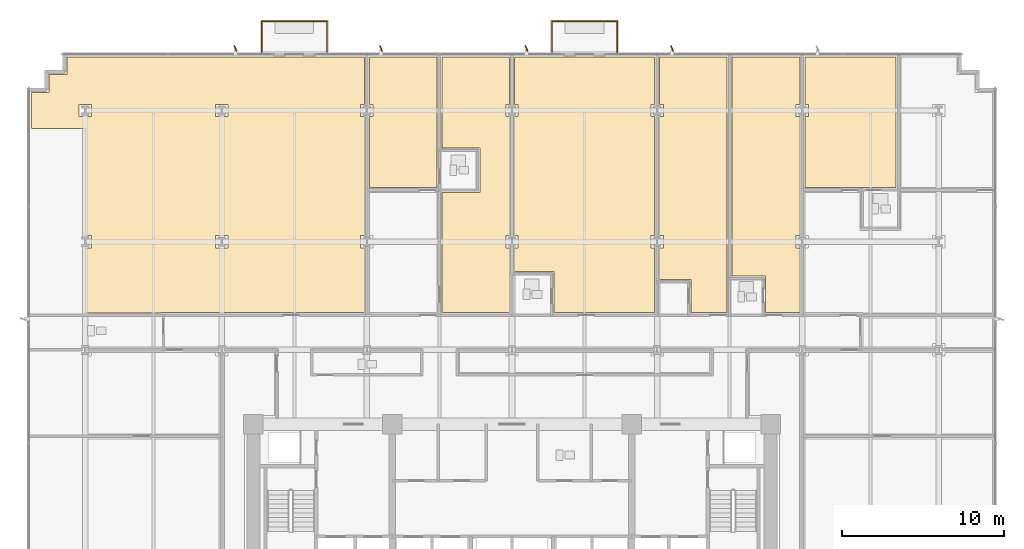
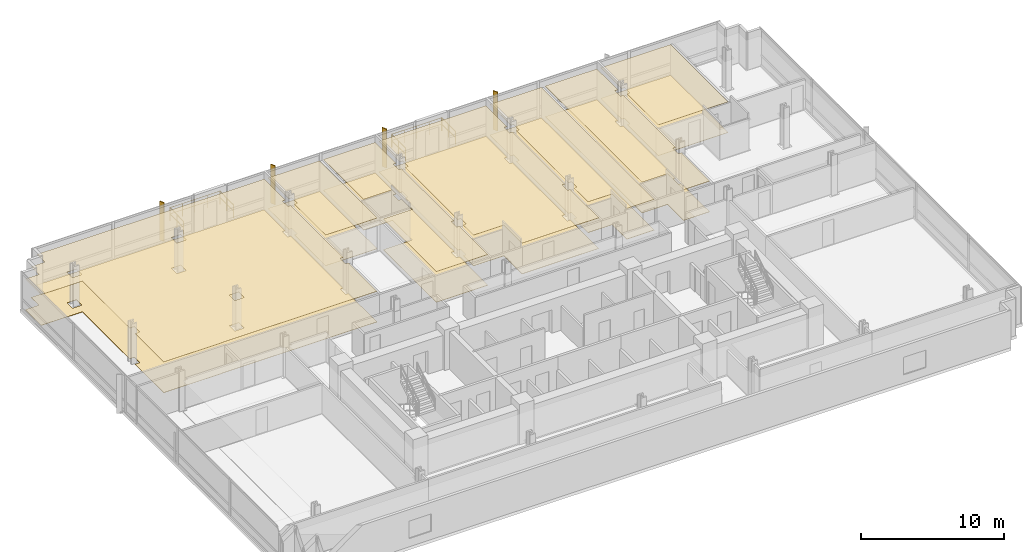
# One storey, part 16 of 18: 14 coverings, 6 railings, 4 shading devices.
"""IFC4 building model written with IfcOpenShell, lengths in metres."""

from ifc_helpers import new_model, si_unit, direction, frame, origin, origin_2d, place, context, subcontext, project, spatial, polyline, rectangle, circle, outline, extrude, material, layer, layer_set, type_object, element, save


model = new_model("IFC4")

# Units and contexts
model_context = context("Model", 3, precision=1e-05, world=origin(), true_north=direction((0.0, 1.0)))
body_context = subcontext(model_context, "Body", "Model", "MODEL_VIEW")
ifc_project = project(units=[si_unit("LENGTHUNIT", "METRE"), si_unit("AREAUNIT", "SQUARE_METRE"), si_unit("VOLUMEUNIT", "CUBIC_METRE"), si_unit("PLANEANGLEUNIT", "RADIAN"), si_unit("MASSUNIT", "GRAM", prefix="KILO")], contexts=[model_context])

# Site, building, storey
site_placement = place(None, origin())
site = spatial("IfcSite", under=ifc_project, at=site_placement, CompositionType="ELEMENT")
building_placement = place(site_placement, origin())
building = spatial("IfcBuilding", under=site, at=building_placement, Name="Solmavex Isthmus Hotel", CompositionType="ELEMENT")
storey_placement = place(building_placement, frame((0.0, 0.0, 43.64990234375)))
storey = spatial("IfcBuildingStorey", under=building, at=storey_placement, Name="L11", CompositionType="ELEMENT", Elevation=43.64990234375)

# Coverings
ifc_material_1 = material(Name="Gypsum plasterboard lining", Category="gypsum")
ifc_layer_1 = layer(ifc_material_1, 0.030029296875)
ifc_layer_set_1 = layer_set([ifc_layer_1], Name="Gypsum plasterboard lining")
covering_type_1 = type_object("IfcCoveringType", Name="COV-CEIL-GYP", PredefinedType="CEILING", material=ifc_layer_set_1)
covering_1_placement = place(storey_placement, frame((0.0, 0.0, 2.6201171875)))
element("IfcCovering", 1, at=covering_1_placement, inside=storey, type_object=covering_type_1, Name="Suspended Acoustic Ceiling L11-RM01", PredefinedType="CEILING", context=body_context, shape_type="SweptSolid", body=[
    extrude(outline(polyline([(-21.70703125, 4.385009765625), (-21.70703125, 4.405029296875), (-9.131103515625, 4.405029296875), (-9.131103515625, 8.407958984375), (-9.35595703125, 8.407958984375), (-9.35595703125, 9.16796875), (-9.131103515625, 9.16796875), (-9.131103515625, 16.52001953125), (-9.35595703125, 16.52001953125), (-9.35595703125, 17.280029296875), (-9.131103515625, 17.280029296875), (-9.131103515625, 20.22509765625), (-27.52490234375, 20.22509765625), (-27.52490234375, 19.125), (-28.625, 19.125), (-28.625, 18.02490234375), (-29.72509765625, 18.02490234375), (-29.72509765625, 15.800048828125), (-26.39990234375, 15.800048828125), (-26.39990234375, 9.16796875), (-26.02001953125, 9.16796875), (-26.02001953125, 8.407958984375), (-26.39990234375, 8.407958984375), (-26.39990234375, 4.385009765625), (-21.70703125, 4.385009765625)]), holes=[polyline([(-18.33203125, 8.407958984375), (-18.33203125, 9.16796875), (-17.572021484375, 9.16796875), (-17.572021484375, 8.407958984375), (-18.33203125, 8.407958984375)]), polyline([(-18.33203125, 17.280029296875), (-17.572021484375, 17.280029296875), (-17.572021484375, 16.52001953125), (-18.33203125, 16.52001953125), (-18.33203125, 17.280029296875)]), polyline([(-26.780029296875, 17.280029296875), (-26.02001953125, 17.280029296875), (-26.02001953125, 16.52001953125), (-26.780029296875, 16.52001953125), (-26.780029296875, 17.280029296875)])]), origin(), (0.0, 0.0, 1.0), 0.030029296875),
])
covering_2_placement = place(storey_placement, frame((0.0, 0.0, 2.6201171875)))
element("IfcCovering", 2, at=covering_2_placement, inside=storey, type_object=covering_type_1, Name="Suspended Acoustic Ceiling L11-SL02-BD", PredefinedType="CEILING", context=body_context, shape_type="SweptSolid", body=[
    extrude(outline(polyline([(-8.821044921875, 17.280029296875), (-8.595947265625, 17.280029296875), (-8.595947265625, 16.52001953125), (-8.821044921875, 16.52001953125), (-8.821044921875, 12.14306640625), (-4.64306640625, 12.14306640625), (-4.64306640625, 20.22509765625), (-8.821044921875, 20.22509765625), (-8.821044921875, 17.280029296875)])), origin(), (0.0, 0.0, 1.0), 0.030029296875),
])
covering_3_placement = place(storey_placement, frame((0.0, 0.0, 2.6201171875)))
element("IfcCovering", 3, at=covering_3_placement, inside=storey, type_object=covering_type_1, Name="Suspended Acoustic Ceiling L11-SV02", PredefinedType="CEILING", context=body_context, shape_type="SweptSolid", body=[
    extrude(outline(polyline([(-0.155029296875, 16.52001953125), (-0.3798828125, 16.52001953125), (-0.3798828125, 17.280029296875), (-0.155029296875, 17.280029296875), (-0.155029296875, 20.22509765625), (-4.3330078125, 20.22509765625), (-4.3330078125, 14.593017578125), (-1.98291015625, 14.593017578125), (-1.98291015625, 11.8330078125), (-4.3330078125, 11.8330078125), (-4.3330078125, 4.405029296875), (-0.155029296875, 4.405029296875), (-0.155029296875, 8.407958984375), (-0.3798828125, 8.407958984375), (-0.3798828125, 9.16796875), (-0.155029296875, 9.16796875), (-0.155029296875, 16.52001953125)])), origin(), (0.0, 0.0, 1.0), 0.030029296875),
])
covering_4_placement = place(storey_placement, frame((0.0, 0.0, 2.6201171875)))
element("IfcCovering", 4, at=covering_4_placement, inside=storey, type_object=covering_type_1, Name="Suspended Acoustic Ceiling L11-RM03", PredefinedType="CEILING", context=body_context, shape_type="SweptSolid", body=[
    extrude(outline(polyline([(0.155029296875, 9.16796875), (0.3798828125, 9.16796875), (0.3798828125, 8.407958984375), (0.155029296875, 8.407958984375), (0.155029296875, 6.955078125), (2.60498046875, 6.955078125), (2.60498046875, 4.405029296875), (8.821044921875, 4.405029296875), (8.821044921875, 8.407958984375), (8.595947265625, 8.407958984375), (8.595947265625, 9.16796875), (8.821044921875, 9.16796875), (8.821044921875, 16.52001953125), (8.595947265625, 16.52001953125), (8.595947265625, 17.280029296875), (8.821044921875, 17.280029296875), (8.821044921875, 20.22509765625), (0.155029296875, 20.22509765625), (0.155029296875, 17.280029296875), (0.3798828125, 17.280029296875), (0.3798828125, 16.52001953125), (0.155029296875, 16.52001953125), (0.155029296875, 9.16796875)])), origin(), (0.0, 0.0, 1.0), 0.030029296875),
])
covering_5_placement = place(storey_placement, frame((0.0, 0.0, 2.6201171875)))
element("IfcCovering", 5, at=covering_5_placement, inside=storey, type_object=covering_type_1, Name="Suspended Acoustic Ceiling L11-RM04", PredefinedType="CEILING", context=body_context, shape_type="SweptSolid", body=[
    extrude(outline(polyline([(9.131103515625, 9.16796875), (9.35595703125, 9.16796875), (9.35595703125, 8.407958984375), (9.131103515625, 8.407958984375), (9.131103515625, 6.455078125), (11.0810546875, 6.455078125), (11.0810546875, 4.405029296875), (13.30908203125, 4.405029296875), (13.30908203125, 20.22509765625), (9.131103515625, 20.22509765625), (9.131103515625, 17.280029296875), (9.35595703125, 17.280029296875), (9.35595703125, 16.52001953125), (9.131103515625, 16.52001953125), (9.131103515625, 9.16796875)])), origin(), (0.0, 0.0, 1.0), 0.030029296875),
])
covering_6_placement = place(storey_placement, frame((0.0, 0.0, 2.6201171875)))
element("IfcCovering", 6, at=covering_6_placement, inside=storey, type_object=covering_type_1, Name="Suspended Acoustic Ceiling L11-RM05", PredefinedType="CEILING", context=body_context, shape_type="SweptSolid", body=[
    extrude(outline(polyline([(17.797119140625, 16.52001953125), (17.572021484375, 16.52001953125), (17.572021484375, 17.280029296875), (17.797119140625, 17.280029296875), (17.797119140625, 20.22509765625), (13.618896484375, 20.22509765625), (13.618896484375, 6.655029296875), (15.68359375, 6.655029296875), (15.68359375, 4.405029296875), (17.797119140625, 4.405029296875), (17.797119140625, 8.407958984375), (17.572021484375, 8.407958984375), (17.572021484375, 9.16796875), (17.797119140625, 9.16796875), (17.797119140625, 16.52001953125)])), origin(), (0.0, 0.0, 1.0), 0.030029296875),
])
covering_7_placement = place(storey_placement, frame((0.0, 0.0, 2.6201171875)))
element("IfcCovering", 7, at=covering_7_placement, inside=storey, type_object=covering_type_1, Name="Suspended Acoustic Ceiling L11-TB06", PredefinedType="CEILING", context=body_context, shape_type="SweptSolid", body=[
    extrude(outline(polyline([(18.10693359375, 17.280029296875), (18.33203125, 17.280029296875), (18.33203125, 16.52001953125), (18.10693359375, 16.52001953125), (18.10693359375, 12.14306640625), (23.760986328125, 12.14306640625), (23.760986328125, 20.22509765625), (18.10693359375, 20.22509765625), (18.10693359375, 17.280029296875)])), origin(), (0.0, 0.0, 1.0), 0.030029296875),
])
ifc_material_2 = material(Name="Travertine natural stone", Category="masonry")
ifc_layer_2 = layer(ifc_material_2, 0.02490234375)
ifc_layer_set_2 = layer_set([ifc_layer_2], Name="Travertine natural stone")
covering_type_2 = type_object("IfcCoveringType", Name="COV-FLOR-STN", PredefinedType="FLOORING", material=ifc_layer_set_2)
covering_8_placement = place(storey_placement, origin())
element("IfcCovering", 8, at=covering_8_placement, inside=storey, type_object=covering_type_2, Name="Stone and Timber Floor Finish L11-RM01", PredefinedType="FLOORING", context=body_context, shape_type="SweptSolid", body=[
    extrude(outline(polyline([(-21.70703125, 4.385009765625), (-21.70703125, 4.405029296875), (-9.131103515625, 4.405029296875), (-9.131103515625, 8.407958984375), (-9.35595703125, 8.407958984375), (-9.35595703125, 9.16796875), (-9.131103515625, 9.16796875), (-9.131103515625, 16.52001953125), (-9.35595703125, 16.52001953125), (-9.35595703125, 17.280029296875), (-9.131103515625, 17.280029296875), (-9.131103515625, 20.22509765625), (-27.52490234375, 20.22509765625), (-27.52490234375, 19.125), (-28.625, 19.125), (-28.625, 18.02490234375), (-29.72509765625, 18.02490234375), (-29.72509765625, 15.800048828125), (-26.39990234375, 15.800048828125), (-26.39990234375, 9.16796875), (-26.02001953125, 9.16796875), (-26.02001953125, 8.407958984375), (-26.39990234375, 8.407958984375), (-26.39990234375, 4.385009765625), (-21.70703125, 4.385009765625)]), holes=[polyline([(-18.33203125, 8.407958984375), (-18.33203125, 9.16796875), (-17.572021484375, 9.16796875), (-17.572021484375, 8.407958984375), (-18.33203125, 8.407958984375)]), polyline([(-18.33203125, 17.280029296875), (-17.572021484375, 17.280029296875), (-17.572021484375, 16.52001953125), (-18.33203125, 16.52001953125), (-18.33203125, 17.280029296875)]), polyline([(-26.780029296875, 17.280029296875), (-26.02001953125, 17.280029296875), (-26.02001953125, 16.52001953125), (-26.780029296875, 16.52001953125), (-26.780029296875, 17.280029296875)])]), origin(), (0.0, 0.0, 1.0), 0.025146484375),
])
covering_9_placement = place(storey_placement, origin())
element("IfcCovering", 9, at=covering_9_placement, inside=storey, type_object=covering_type_2, Name="Stone and Timber Floor Finish L11-SL02-BD", PredefinedType="FLOORING", context=body_context, shape_type="SweptSolid", body=[
    extrude(outline(polyline([(-8.821044921875, 17.280029296875), (-8.595947265625, 17.280029296875), (-8.595947265625, 16.52001953125), (-8.821044921875, 16.52001953125), (-8.821044921875, 12.14306640625), (-4.64306640625, 12.14306640625), (-4.64306640625, 20.22509765625), (-8.821044921875, 20.22509765625), (-8.821044921875, 17.280029296875)])), origin(), (0.0, 0.0, 1.0), 0.025146484375),
])
covering_10_placement = place(storey_placement, origin())
element("IfcCovering", 10, at=covering_10_placement, inside=storey, type_object=covering_type_2, Name="Stone and Timber Floor Finish L11-SV02", PredefinedType="FLOORING", context=body_context, shape_type="SweptSolid", body=[
    extrude(outline(polyline([(-0.155029296875, 16.52001953125), (-0.3798828125, 16.52001953125), (-0.3798828125, 17.280029296875), (-0.155029296875, 17.280029296875), (-0.155029296875, 20.22509765625), (-4.3330078125, 20.22509765625), (-4.3330078125, 14.593017578125), (-1.98291015625, 14.593017578125), (-1.98291015625, 11.8330078125), (-4.3330078125, 11.8330078125), (-4.3330078125, 4.405029296875), (-0.155029296875, 4.405029296875), (-0.155029296875, 8.407958984375), (-0.3798828125, 8.407958984375), (-0.3798828125, 9.16796875), (-0.155029296875, 9.16796875), (-0.155029296875, 16.52001953125)])), origin(), (0.0, 0.0, 1.0), 0.025146484375),
])
covering_11_placement = place(storey_placement, origin())
element("IfcCovering", 11, at=covering_11_placement, inside=storey, type_object=covering_type_2, Name="Stone and Timber Floor Finish L11-RM03", PredefinedType="FLOORING", context=body_context, shape_type="SweptSolid", body=[
    extrude(outline(polyline([(0.155029296875, 9.16796875), (0.3798828125, 9.16796875), (0.3798828125, 8.407958984375), (0.155029296875, 8.407958984375), (0.155029296875, 6.955078125), (2.60498046875, 6.955078125), (2.60498046875, 4.405029296875), (8.821044921875, 4.405029296875), (8.821044921875, 8.407958984375), (8.595947265625, 8.407958984375), (8.595947265625, 9.16796875), (8.821044921875, 9.16796875), (8.821044921875, 16.52001953125), (8.595947265625, 16.52001953125), (8.595947265625, 17.280029296875), (8.821044921875, 17.280029296875), (8.821044921875, 20.22509765625), (0.155029296875, 20.22509765625), (0.155029296875, 17.280029296875), (0.3798828125, 17.280029296875), (0.3798828125, 16.52001953125), (0.155029296875, 16.52001953125), (0.155029296875, 9.16796875)])), origin(), (0.0, 0.0, 1.0), 0.025146484375),
])
covering_12_placement = place(storey_placement, origin())
element("IfcCovering", 12, at=covering_12_placement, inside=storey, type_object=covering_type_2, Name="Stone and Timber Floor Finish L11-RM04", PredefinedType="FLOORING", context=body_context, shape_type="SweptSolid", body=[
    extrude(outline(polyline([(9.131103515625, 9.16796875), (9.35595703125, 9.16796875), (9.35595703125, 8.407958984375), (9.131103515625, 8.407958984375), (9.131103515625, 6.455078125), (11.0810546875, 6.455078125), (11.0810546875, 4.405029296875), (13.30908203125, 4.405029296875), (13.30908203125, 20.22509765625), (9.131103515625, 20.22509765625), (9.131103515625, 17.280029296875), (9.35595703125, 17.280029296875), (9.35595703125, 16.52001953125), (9.131103515625, 16.52001953125), (9.131103515625, 9.16796875)])), origin(), (0.0, 0.0, 1.0), 0.025146484375),
])
covering_13_placement = place(storey_placement, origin())
element("IfcCovering", 13, at=covering_13_placement, inside=storey, type_object=covering_type_2, Name="Stone and Timber Floor Finish L11-RM05", PredefinedType="FLOORING", context=body_context, shape_type="SweptSolid", body=[
    extrude(outline(polyline([(17.797119140625, 16.52001953125), (17.572021484375, 16.52001953125), (17.572021484375, 17.280029296875), (17.797119140625, 17.280029296875), (17.797119140625, 20.22509765625), (13.618896484375, 20.22509765625), (13.618896484375, 6.655029296875), (15.68359375, 6.655029296875), (15.68359375, 4.405029296875), (17.797119140625, 4.405029296875), (17.797119140625, 8.407958984375), (17.572021484375, 8.407958984375), (17.572021484375, 9.16796875), (17.797119140625, 9.16796875), (17.797119140625, 16.52001953125)])), origin(), (0.0, 0.0, 1.0), 0.025146484375),
])
covering_14_placement = place(storey_placement, origin())
element("IfcCovering", 14, at=covering_14_placement, inside=storey, type_object=covering_type_2, Name="Stone and Timber Floor Finish L11-TB06", PredefinedType="FLOORING", context=body_context, shape_type="SweptSolid", body=[
    extrude(outline(polyline([(18.10693359375, 17.280029296875), (18.33203125, 17.280029296875), (18.33203125, 16.52001953125), (18.10693359375, 16.52001953125), (18.10693359375, 12.14306640625), (23.760986328125, 12.14306640625), (23.760986328125, 20.22509765625), (18.10693359375, 20.22509765625), (18.10693359375, 17.280029296875)])), origin(), (0.0, 0.0, 1.0), 0.025146484375),
])

# Railings
ifc_material_3 = material(Name="Clear low-E laminated glass", Category="glass")
ifc_layer_3 = layer(ifc_material_3, 0.070068359375)
ifc_layer_set_3 = layer_set([ifc_layer_3], Name="Clear low-E laminated glass")
railing_type = type_object("IfcRailingType", Name="RAIL-GUARD-1100", PredefinedType="BALUSTRADE", material=ifc_layer_set_3)
railing_1_placement = place(storey_placement, frame((-15.48388671875, 20.5, 0.0)))
element("IfcRailing", 15, at=railing_1_placement, inside=storey, type_object=railing_type, Name="Guardrail Balustrade L11-BAL1-01", PredefinedType="BALUSTRADE", context=body_context, shape_type="SweptSolid", body=[
    extrude(circle(Radius=0.02392578125, at=origin_2d()), frame((0.0, 0.0, 1.09619140625), z_axis=(0.0, 1.0, 0.0), x_axis=(-1.0, 0.0, 0.0)), (0.0, 0.0, 1.0), 1.919921875),
    extrude(circle(Radius=0.02392578125, at=origin_2d()), frame((0.0, 0.0, 0.56005859375), z_axis=(0.0, 1.0, 0.0), x_axis=(-1.0, 0.0, 0.0)), (0.0, 0.0, 1.0), 1.919921875),
    extrude(circle(Radius=0.02099609375, at=origin_2d()), origin(), (0.0, 0.0, 1.0), 1.072021484375),
    extrude(circle(Radius=0.02099609375, at=origin_2d()), frame((0.0, 0.9599609375, 0.0)), (0.0, 0.0, 1.0), 1.072021484375),
    extrude(circle(Radius=0.02099609375, at=origin_2d()), frame((0.0, 1.919921875, 0.0)), (0.0, 0.0, 1.0), 1.072021484375),
])
railing_2_placement = place(storey_placement, frame((-15.48388671875, 22.419921875, 0.0)))
element("IfcRailing", 16, at=railing_2_placement, inside=storey, type_object=railing_type, Name="Guardrail Balustrade L11-BAL1-02", PredefinedType="BALUSTRADE", context=body_context, shape_type="SweptSolid", body=[
    extrude(circle(Radius=0.02392578125, at=origin_2d()), frame((0.0, 0.0, 1.09619140625), z_axis=(1.0, 0.0, 0.0), x_axis=(0.0, 1.0, 0.0)), (0.0, 0.0, 1.0), 4.039794921875),
    extrude(circle(Radius=0.02392578125, at=origin_2d()), frame((0.0, 0.0, 0.56005859375), z_axis=(1.0, 0.0, 0.0), x_axis=(0.0, 1.0, 0.0)), (0.0, 0.0, 1.0), 4.039794921875),
    extrude(circle(Radius=0.02099609375, at=origin_2d()), origin(), (0.0, 0.0, 1.0), 1.072021484375),
    extrude(circle(Radius=0.02099609375, at=origin_2d()), frame((1.010009765625, 0.0, 0.0)), (0.0, 0.0, 1.0), 1.072021484375),
    extrude(circle(Radius=0.02099609375, at=origin_2d()), frame((2.02001953125, 0.0, 0.0)), (0.0, 0.0, 1.0), 1.072021484375),
    extrude(circle(Radius=0.02099609375, at=origin_2d()), frame((3.02978515625, 0.0, 0.0)), (0.0, 0.0, 1.0), 1.072021484375),
    extrude(circle(Radius=0.02099609375, at=origin_2d()), frame((4.039794921875, 0.0, 0.0)), (0.0, 0.0, 1.0), 1.072021484375),
])
railing_3_placement = place(storey_placement, frame((-11.444091796875, 22.419921875, 0.0)))
element("IfcRailing", 17, at=railing_3_placement, inside=storey, type_object=railing_type, Name="Guardrail Balustrade L11-BAL1-03", PredefinedType="BALUSTRADE", context=body_context, shape_type="SweptSolid", body=[
    extrude(circle(Radius=0.02392578125, at=origin_2d()), frame((0.0, 0.0, 1.09619140625), z_axis=(0.0, -1.0, 0.0), x_axis=(1.0, 0.0, 0.0)), (0.0, 0.0, 1.0), 1.919921875),
    extrude(circle(Radius=0.02392578125, at=origin_2d()), frame((0.0, 0.0, 0.56005859375), z_axis=(0.0, -1.0, 0.0), x_axis=(1.0, 0.0, 0.0)), (0.0, 0.0, 1.0), 1.919921875),
    extrude(circle(Radius=0.02099609375, at=origin_2d()), origin(), (0.0, 0.0, 1.0), 1.072021484375),
    extrude(circle(Radius=0.02099609375, at=origin_2d()), frame((0.0, -0.9599609375, 0.0)), (0.0, 0.0, 1.0), 1.072021484375),
    extrude(circle(Radius=0.02099609375, at=origin_2d()), frame((0.0, -1.919921875, 0.0)), (0.0, 0.0, 1.0), 1.072021484375),
])
railing_4_placement = place(storey_placement, frame((2.468017578125, 20.5, 0.0)))
element("IfcRailing", 18, at=railing_4_placement, inside=storey, type_object=railing_type, Name="Guardrail Balustrade L11-BAL2-01", PredefinedType="BALUSTRADE", context=body_context, shape_type="SweptSolid", body=[
    extrude(circle(Radius=0.02392578125, at=origin_2d()), frame((0.0, 0.0, 1.09619140625), z_axis=(0.0, 1.0, 0.0), x_axis=(-1.0, 0.0, 0.0)), (0.0, 0.0, 1.0), 1.919921875),
    extrude(circle(Radius=0.02392578125, at=origin_2d()), frame((0.0, 0.0, 0.56005859375), z_axis=(0.0, 1.0, 0.0), x_axis=(-1.0, 0.0, 0.0)), (0.0, 0.0, 1.0), 1.919921875),
    extrude(circle(Radius=0.02099609375, at=origin_2d()), origin(), (0.0, 0.0, 1.0), 1.072021484375),
    extrude(circle(Radius=0.02099609375, at=origin_2d()), frame((0.0, 0.9599609375, 0.0)), (0.0, 0.0, 1.0), 1.072021484375),
    extrude(circle(Radius=0.02099609375, at=origin_2d()), frame((0.0, 1.919921875, 0.0)), (0.0, 0.0, 1.0), 1.072021484375),
])
railing_5_placement = place(storey_placement, frame((2.468017578125, 22.419921875, 0.0)))
element("IfcRailing", 19, at=railing_5_placement, inside=storey, type_object=railing_type, Name="Guardrail Balustrade L11-BAL2-02", PredefinedType="BALUSTRADE", context=body_context, shape_type="SweptSolid", body=[
    extrude(circle(Radius=0.02392578125, at=origin_2d()), frame((0.0, 0.0, 1.09619140625), z_axis=(1.0, 0.0, 0.0), x_axis=(0.0, 1.0, 0.0)), (0.0, 0.0, 1.0), 4.0400390625),
    extrude(circle(Radius=0.02392578125, at=origin_2d()), frame((0.0, 0.0, 0.56005859375), z_axis=(1.0, 0.0, 0.0), x_axis=(0.0, 1.0, 0.0)), (0.0, 0.0, 1.0), 4.0400390625),
    extrude(circle(Radius=0.02099609375, at=origin_2d()), origin(), (0.0, 0.0, 1.0), 1.072021484375),
    extrude(circle(Radius=0.02099609375, at=origin_2d()), frame((1.010009765625, 0.0, 0.0)), (0.0, 0.0, 1.0), 1.072021484375),
    extrude(circle(Radius=0.02099609375, at=origin_2d()), frame((2.02001953125, 0.0, 0.0)), (0.0, 0.0, 1.0), 1.072021484375),
    extrude(circle(Radius=0.02099609375, at=origin_2d()), frame((3.030029296875, 0.0, 0.0)), (0.0, 0.0, 1.0), 1.072021484375),
    extrude(circle(Radius=0.02099609375, at=origin_2d()), frame((4.0400390625, 0.0, 0.0)), (0.0, 0.0, 1.0), 1.072021484375),
])
railing_6_placement = place(storey_placement, frame((6.508056640625, 22.419921875, 0.0)))
element("IfcRailing", 20, at=railing_6_placement, inside=storey, type_object=railing_type, Name="Guardrail Balustrade L11-BAL2-03", PredefinedType="BALUSTRADE", context=body_context, shape_type="SweptSolid", body=[
    extrude(circle(Radius=0.02392578125, at=origin_2d()), frame((0.0, 0.0, 1.09619140625), z_axis=(0.0, -1.0, 0.0), x_axis=(1.0, 0.0, 0.0)), (0.0, 0.0, 1.0), 1.919921875),
    extrude(circle(Radius=0.02392578125, at=origin_2d()), frame((0.0, 0.0, 0.56005859375), z_axis=(0.0, -1.0, 0.0), x_axis=(1.0, 0.0, 0.0)), (0.0, 0.0, 1.0), 1.919921875),
    extrude(circle(Radius=0.02099609375, at=origin_2d()), origin(), (0.0, 0.0, 1.0), 1.072021484375),
    extrude(circle(Radius=0.02099609375, at=origin_2d()), frame((0.0, -0.9599609375, 0.0)), (0.0, 0.0, 1.0), 1.072021484375),
    extrude(circle(Radius=0.02099609375, at=origin_2d()), frame((0.0, -1.919921875, 0.0)), (0.0, 0.0, 1.0), 1.072021484375),
])

# Shading devices
ifc_material_4 = material(Name="Aluminium alloy 6063-T6", Category="aluminium")
shading_device_type = type_object("IfcShadingDeviceType", Name="SHD-FIN-CHAMP", PredefinedType="USERDEFINED", material=ifc_material_4)
for number, where, z_axis, x_axis, name in (
    (21, (-17.10009765625, 20.739990234375, -0.139892578125), (0.0, 0.0, 1.0), (-0.438371146789, 0.898794046299, 0.0), "Anodised Aluminium Solar Fin L11-N1"),
    (22, (-8.10009765625, 20.739990234375, -0.139892578125), (0.0, 0.0, 1.0), (-0.438371146789, 0.898794046299, 0.0), "Anodised Aluminium Solar Fin L11-N2"),
    (23, (0.89990234375, 20.739990234375, -0.139892578125), (0.0, 0.0, 1.0), (-0.438371146789, 0.898794046299, 0.0), "Anodised Aluminium Solar Fin L11-N3"),
    (24, (9.89990234375, 20.739990234375, -0.139892578125), (0.0, 0.0, 1.0), (-0.438371146789, 0.898794046299, 0.0), "Anodised Aluminium Solar Fin L11-N4"),
):
    element("IfcShadingDevice", number, at=place(storey_placement, frame(where, z_axis=z_axis, x_axis=x_axis)), inside=storey, type_object=shading_device_type, Name=name, ObjectType="SOLAR_FIN", PredefinedType="USERDEFINED", context=body_context, shape_type="SweptSolid", body=[
        extrude(rectangle(XDim=0.3798828125, YDim=0.070068359375, at=origin_2d()), origin(), (0.0, 0.0, 1.0), 3.330078125),
    ])

save(model, "model.ifc")
